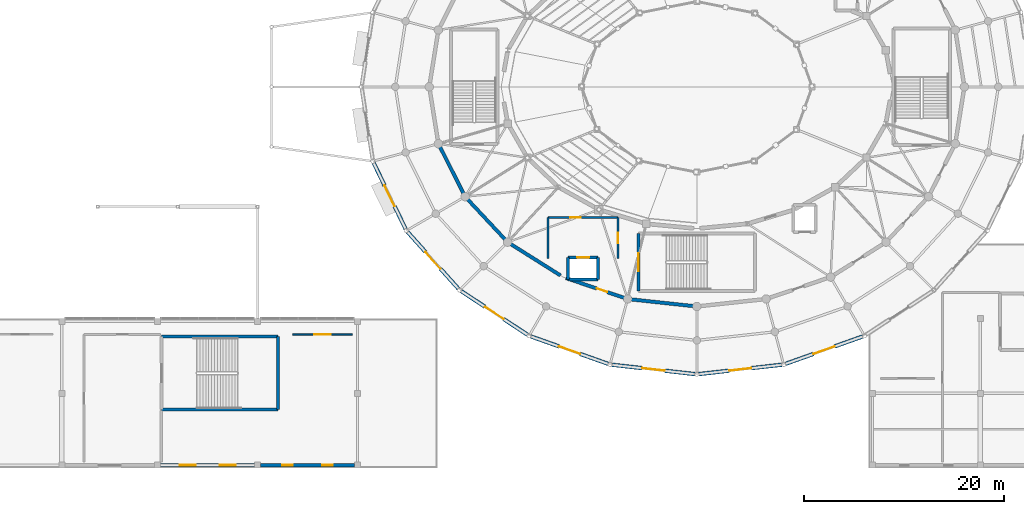
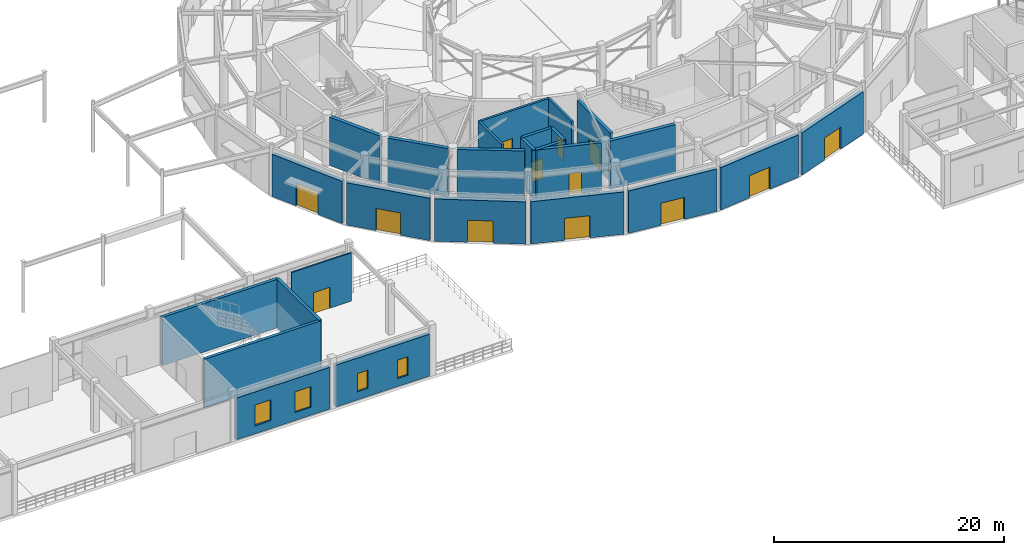
# One storey, part 53 of 93: 26 walls, 13 doors, 4 windows, 17 openings.
"""IFC4 building model written with IfcOpenShell, lengths in metres."""

import ifcopenshell
import ifcopenshell.guid

model = None  # the IFC model being written
_history = None  # IfcOwnerHistory: only IFC2X3 demands one
_inside = {}  # id of a spatial element -> (the spatial element, [elements in it])
_under = {}  # id of a project, library or spatial element -> (it, [spatial elements below it])
_declared = {}  # id of a project -> (the project, [libraries it declares])
_typed = {}  # id of a type object -> (the type object, [elements of that type])
_made_of = {}  # id of a material, layer set ... -> (it, [elements and type objects made of it])


def new_model(schema):
    """Start an empty IFC model of exactly this schema.

    Asked for "IFC4X3", IfcOpenShell would pick the latest addendum, in which some entities
    have other attributes; the version numbers below select the first issue.
    IFC2X3 requires an IfcOwnerHistory on every rooted entity: one is made here for all.
    """
    global model, _history
    if schema == "IFC4X3":
        model = ifcopenshell.file(schema_version=(4, 3, 0, 0))
    else:
        model = ifcopenshell.file(schema=schema)
    _inside.clear()
    _under.clear()
    _declared.clear()
    _typed.clear()
    _made_of.clear()
    _history = None
    if model.schema == "IFC2X3":
        org = make("IfcOrganization", Name="unknown")
        user = make(
            "IfcPersonAndOrganization",
            ThePerson=make("IfcPerson", FamilyName="unknown"),
            TheOrganization=org,
        )
        app = make(
            "IfcApplication",
            ApplicationDeveloper=org,
            Version="unknown",
            ApplicationFullName="unknown",
            ApplicationIdentifier="unknown",
        )
        _history = make(
            "IfcOwnerHistory",
            OwningUser=user,
            OwningApplication=app,
            ChangeAction="ADDED",
            CreationDate=0,
        )
    return model


def make(cls, **values):
    """One entity of the class cls with the attributes given. An attribute that is None is left unset."""
    return model.create_entity(
        cls, **{name: value for name, value in values.items() if value is not None}
    )


def rooted(cls, **values):
    """An entity with a GlobalId (a new one), such as an element, a storey or a relation."""
    return make(cls, GlobalId=ifcopenshell.guid.new(), OwnerHistory=_history, **values)


def si_unit(unit_type, name, prefix=None):
    """IfcSIUnit, for example si_unit("LENGTHUNIT", "METRE", prefix="MILLI")."""
    return make("IfcSIUnit", UnitType=unit_type, Prefix=prefix, Name=name)


def assignment(units):
    """IfcUnitAssignment: the units of a project."""
    return None if units is None else make("IfcUnitAssignment", Units=units)


def point(xyz):
    """IfcCartesianPoint."""
    return None if xyz is None else make("IfcCartesianPoint", Coordinates=xyz)


def direction(xyz):
    """IfcDirection."""
    return None if xyz is None else make("IfcDirection", DirectionRatios=xyz)


def frame(location, z_axis=None, x_axis=None):
    """IfcAxis2Placement3D, a coordinate frame: its origin and axes. An axis left out is left unset."""
    return make(
        "IfcAxis2Placement3D",
        Location=point(location),
        Axis=direction(z_axis),
        RefDirection=direction(x_axis),
    )


def frame_2d(location, x_axis=None):
    """IfcAxis2Placement2D, a coordinate frame in the plane: its origin and x axis."""
    return make(
        "IfcAxis2Placement2D", Location=point(location), RefDirection=direction(x_axis)
    )


def origin():
    """The frame at (0, 0, 0) with its axes left unset."""
    return frame((0.0, 0.0, 0.0))


def place(relative_to, where):
    """IfcLocalPlacement: puts the frame where relative to a parent placement (None: the world)."""
    return make(
        "IfcLocalPlacement", PlacementRelTo=relative_to, RelativePlacement=where
    )


def context(
    kind, dimensions, precision=None, world=None, true_north=None, identifier=None
):
    """IfcGeometricRepresentationContext, for example the 3D "Model" context."""
    return make(
        "IfcGeometricRepresentationContext",
        ContextIdentifier=identifier,
        ContextType=kind,
        CoordinateSpaceDimension=dimensions,
        Precision=precision,
        WorldCoordinateSystem=world,
        TrueNorth=true_north,
    )


def subcontext(parent, identifier, kind, view, scale=None):
    """IfcGeometricRepresentationSubContext, for example "Body" below "Model"."""
    return make(
        "IfcGeometricRepresentationSubContext",
        ContextIdentifier=identifier,
        ContextType=kind,
        ParentContext=parent,
        TargetScale=scale,
        TargetView=view,
    )


def project(units=None, contexts=None):
    """IfcProject with its units and contexts."""
    return rooted(
        "IfcProject",
        Name="project",
        RepresentationContexts=contexts,
        UnitsInContext=assignment(units),
    )


def spatial(cls, under=None, at=None, **own):
    """A site, building, storey or space (cls), placed at a placement, below another one or the project."""
    s = rooted(cls, ObjectPlacement=at, **own)
    if under is not None:
        _under.setdefault(under.id(), (under, []))[1].append(s)
    return s


def profile(cls, at=None, kind="AREA", **sizes):
    """A parametric profile (cls). Its sizes go by their IFC names, for example OverallWidth=200.0."""
    return make(cls, ProfileType=kind, Position=at, **sizes)


def rectangle(**sizes):
    """IfcRectangleProfileDef."""
    return profile("IfcRectangleProfileDef", **sizes)


def extrude(swept, where, along, depth):
    """IfcExtrudedAreaSolid: the profile swept, set in the frame where, extruded along a direction by depth."""
    return make(
        "IfcExtrudedAreaSolid",
        SweptArea=swept,
        Position=where,
        ExtrudedDirection=direction(along),
        Depth=depth,
    )


def shape(context_of_items, identifier, shape_type, items):
    """IfcShapeRepresentation: the items that make up one representation, for example the "Body"."""
    return make(
        "IfcShapeRepresentation",
        ContextOfItems=context_of_items,
        RepresentationIdentifier=identifier,
        RepresentationType=shape_type,
        Items=items,
    )


def material(Name=None, Category=None):
    """IfcMaterial."""
    return make("IfcMaterial", Name=Name, Category=Category)


def layer(
    of_material, thickness, ventilated=None, Name=None, Category=None, Priority=None
):
    """IfcMaterialLayer: one layer of a wall or slab, of a material (None: an air gap)."""
    return make(
        "IfcMaterialLayer",
        Material=of_material,
        LayerThickness=thickness,
        IsVentilated=ventilated,
        Name=Name,
        Category=Category,
        Priority=Priority,
    )


def layer_set(layers, Name=None):
    """IfcMaterialLayerSet."""
    return make("IfcMaterialLayerSet", MaterialLayers=layers, LayerSetName=Name)


def made_of(thing, what):
    """Note that an element or type object is made of a material, layer set ...; save() writes the relation."""
    if what is not None:
        _made_of.setdefault(what.id(), (what, []))[1].append(thing)
    return thing


def type_object(cls, material=None, **own):
    """A type object (cls), such as IfcWallType, which elements share."""
    return made_of(rooted(cls, **own), material)


def element(
    cls,
    number,
    at=None,
    inside=None,
    cuts=None,
    type_object=None,
    material=None,
    context=None,
    identifier="Body",
    shape_type=None,
    held_by="IfcProductDefinitionShape",
    body=None,
    shapes=None,
    **own,
):
    """One element of the class cls, such as IfcWall. Its Tag is "e" and its number.

    at: its placement. inside: the storey or other place that contains it. cuts: it is an
    opening in that element (IfcRelVoidsElement). A single representation is given by context,
    identifier, shape_type and body (its items); several are given by shapes. held_by: the class
    of the entity that holds the representations. save() writes the other relations.
    """
    e = rooted(cls, Tag="e%d" % number, ObjectPlacement=at, **own)
    if body is not None:
        shapes = [shape(context, identifier, shape_type, body)]
    if shapes is not None:
        e.Representation = make(held_by, Representations=shapes)
    if inside is not None:
        _inside.setdefault(inside.id(), (inside, []))[1].append(e)
    if cuts is not None:
        rooted(
            "IfcRelVoidsElement", RelatingBuildingElement=cuts, RelatedOpeningElement=e
        )
    if type_object is not None:
        _typed.setdefault(type_object.id(), (type_object, []))[1].append(e)
    return made_of(e, material)


def fill(opening, filler):
    """IfcRelFillsElement: the door or window that sits in an opening."""
    return rooted(
        "IfcRelFillsElement",
        RelatingOpeningElement=opening,
        RelatedBuildingElement=filler,
    )


def aggregate(whole, parts):
    """IfcRelAggregates: a whole, such as a stair, and the parts it consists of."""
    return rooted("IfcRelAggregates", RelatingObject=whole, RelatedObjects=parts)


def save(model, path):
    """Write the relations noted so far, then the file.

    IfcRelAggregates (storeys below a building ...), IfcRelContainedInSpatialStructure (elements
    in a storey), IfcRelDefinesByType, IfcRelAssociatesMaterial and IfcRelDeclares: one each for
    every whole, place, type object, material and project.
    """
    for whole, parts in _under.values():
        aggregate(whole, parts)
    for where, things in _inside.values():
        rooted(
            "IfcRelContainedInSpatialStructure",
            RelatedElements=things,
            RelatingStructure=where,
        )
    for kind, things in _typed.values():
        rooted("IfcRelDefinesByType", RelatedObjects=things, RelatingType=kind)
    for what, things in _made_of.values():
        rooted("IfcRelAssociatesMaterial", RelatedObjects=things, RelatingMaterial=what)
    for by, libraries in _declared.values():
        rooted("IfcRelDeclares", RelatingContext=by, RelatedDefinitions=libraries)
    model.write(path)


model = new_model("IFC4")

# Units and contexts
model_context = context("Model", 3, precision=1e-05, world=origin(), true_north=direction((0.0, 1.0)))
body_context = subcontext(model_context, "Body", "Model", "MODEL_VIEW")
ifc_project = project(units=[si_unit("LENGTHUNIT", "METRE"), si_unit("AREAUNIT", "SQUARE_METRE"), si_unit("VOLUMEUNIT", "CUBIC_METRE"), si_unit("PLANEANGLEUNIT", "RADIAN"), si_unit("MASSUNIT", "GRAM", prefix="KILO")], contexts=[model_context])

# Site, building, storey
site_placement = place(None, origin())
site = spatial("IfcSite", under=ifc_project, at=site_placement, CompositionType="ELEMENT")
building_placement = place(site_placement, origin())
building = spatial("IfcBuilding", under=site, at=building_placement, Name="Cinderbank Siding Concert Hall", CompositionType="ELEMENT")
storey_placement = place(building_placement, origin())
storey = spatial("IfcBuildingStorey", under=building, at=storey_placement, Name="L01", CompositionType="ELEMENT", Elevation=0.0)

# Walls
ifc_material_1 = material(Name="Reinforced concrete AS 3600 N50 (50 MPa)", Category="concrete")
ifc_layer_1 = layer(ifc_material_1, 0.35009765625)
ifc_layer_set_1 = layer_set([ifc_layer_1], Name="Reinforced concrete AS 3600 N50 (50 MPa)")
wall_type_1 = type_object("IfcWallType", Name="WL-02 Structural Wall 350mm", PredefinedType="SHEAR", material=ifc_layer_set_1)
wall_1_placement = place(storey_placement, frame((96.275390625, 37.984619140625, 0.0), z_axis=(0.0, 0.0, 1.0), x_axis=(0.450482420117, -0.892785298471, 0.0)))
element("IfcWall", 1, at=wall_1_placement, inside=storey, type_object=wall_type_1, Name="L01 Structural Wall SW-E2-L01-14", PredefinedType="SHEAR", context=body_context, shape_type="SweptSolid", body=[
    extrude(rectangle(XDim=5.223388671875, YDim=0.35009765625, at=frame_2d((2.61181640625, 0.0))), origin(), (0.0, 0.0, 1.0), 5.1201171875),
])
wall_2_placement = place(storey_placement, frame((99.036376953125, 32.737060546875, 0.0), z_axis=(0.0, 0.0, 1.0), x_axis=(0.682874636689, -0.730535577893, 0.0)))
element("IfcWall", 2, at=wall_2_placement, inside=storey, type_object=wall_type_1, Name="L01 Structural Wall SW-E2-L01-15", PredefinedType="SHEAR", context=body_context, shape_type="SweptSolid", body=[
    extrude(rectangle(XDim=5.516845703125, YDim=0.35009765625, at=frame_2d((2.75830078125, 0.0))), origin(), (0.0, 0.0, 1.0), 5.1201171875),
])
wall_3_placement = place(storey_placement, frame((103.35400390625, 28.251708984375, 0.0), z_axis=(0.0, 0.0, 1.0), x_axis=(0.846151979506, -0.532941673712, 0.0)))
element("IfcWall", 3, at=wall_3_placement, inside=storey, type_object=wall_type_1, Name="L01 Structural Wall SW-E2-L01-16", PredefinedType="SHEAR", context=body_context, shape_type="SweptSolid", body=[
    extrude(rectangle(XDim=5.89990234375, YDim=0.35009765625, at=frame_2d((2.949951171875, 0.0))), origin(), (0.0, 0.0, 1.0), 5.1201171875),
])

# Wall, opening, door
wall_4_placement = place(storey_placement, frame((108.884033203125, 24.850830078125, 0.0), z_axis=(0.0, 0.0, 1.0), x_axis=(0.946765988255, -0.321922604804, 0.0)))
wall_4 = element("IfcWall", 4, at=wall_4_placement, inside=storey, type_object=wall_type_1, Name="L01 Structural Wall SW-E2-L01-17", PredefinedType="SHEAR", context=body_context, shape_type="SweptSolid", body=[
    extrude(rectangle(XDim=6.167236328125, YDim=0.35009765625, at=frame_2d((3.08349609375, 0.0))), origin(), (0.0, 0.0, 1.0), 5.1201171875),
])
opening_1_placement = place(wall_4_placement, frame((3.2734375, 0.0, 0.0)))
opening_1 = element("IfcOpeningElement", 5, at=opening_1_placement, cuts=wall_4, Name="Opening D-19", PredefinedType="OPENING", context=body_context, shape_type="SweptSolid", body=[
    extrude(rectangle(XDim=1.1201171875, YDim=2.260009765625, at=frame_2d((0.56005859375, 1.1298828125))), frame((0.0, 0.18701171875, 0.0), z_axis=(0.0, -1.0, 0.0), x_axis=(1.0, 0.0, 0.0)), (0.0, 0.0, 1.0), 0.3740234375),
])
ifc_material_2 = material(Name="Solid-core spotted gum acoustic timber", Category="wood")
door_type_1 = type_object("IfcDoorType", Name="D-19 Interior Door 1120x2260", OperationType="NOTDEFINED", PredefinedType="DOOR", material=ifc_material_2)
door_1_placement = place(opening_1_placement, origin())
door_1 = element("IfcDoor", 6, at=door_1_placement, inside=storey, type_object=door_type_1, Name="L01 Auditorium Sound-Lock Door L01-D126", OperationType="SINGLE_SWING_LEFT", OverallHeight=2.260009765625, OverallWidth=1.1201171875, PredefinedType="DOOR", context=body_context, shape_type="SweptSolid", body=[
    extrude(rectangle(XDim=1.1201171875, YDim=2.260009765625, at=frame_2d((0.56005859375, 1.1298828125))), frame((0.0, 0.02490234375, 0.0), z_axis=(0.0, -1.0, 0.0), x_axis=(1.0, 0.0, 0.0)), (0.0, 0.0, 1.0), 0.050048828125),
])
fill(opening_1, door_1)

# Wall
wall_5_placement = place(storey_placement, frame((115.42138671875, 22.7109375, 0.0), z_axis=(0.0, 0.0, 1.0), x_axis=(0.994213694453, -0.107420341477, 0.0)))
element("IfcWall", 7, at=wall_5_placement, inside=storey, type_object=wall_type_1, Name="L01 Structural Wall SW-E2-L01-18", PredefinedType="SHEAR", context=body_context, shape_type="SweptSolid", body=[
    extrude(rectangle(XDim=6.2568359375, YDim=0.35009765625, at=frame_2d((3.12841796875, 0.0))), origin(), (0.0, 0.0, 1.0), 5.1201171875),
])

# Wall, opening, door
ifc_layer_2 = layer(ifc_material_1, 0.300048828125)
ifc_layer_set_2 = layer_set([ifc_layer_2], Name="Reinforced concrete AS 3600 N50 (50 MPa)")
wall_type_2 = type_object("IfcWallType", Name="WL-03 Structural Wall 300mm", PredefinedType="SHEAR", material=ifc_layer_set_2)
wall_6_placement = place(storey_placement, frame((116.159912109375, 23.56005859375, 0.0), z_axis=(0.0, 0.0, 1.0), x_axis=(0.0, 1.0, 0.0)))
wall_6 = element("IfcWall", 8, at=wall_6_placement, inside=storey, type_object=wall_type_2, Name="L01 ST-02 Core Wall ENTRY", PredefinedType="SHEAR", context=body_context, shape_type="SweptSolid", body=[
    extrude(rectangle(XDim=5.739990234375, YDim=0.300048828125, at=frame_2d((2.8701171875, 0.0))), origin(), (0.0, 0.0, 1.0), 5.139892578125),
])
opening_2_placement = place(wall_6_placement, frame((1.969970703125, 0.0, 0.0)))
opening_2 = element("IfcOpeningElement", 9, at=opening_2_placement, cuts=wall_6, Name="Opening D-05", PredefinedType="OPENING", context=body_context, shape_type="SweptSolid", body=[
    extrude(rectangle(XDim=1.800048828125, YDim=2.199951171875, at=frame_2d((0.89990234375, 1.10009765625))), frame((0.0, 0.162109375, 0.0), z_axis=(0.0, -1.0, 0.0), x_axis=(1.0, 0.0, 0.0)), (0.0, 0.0, 1.0), 0.323974609375),
])
ifc_material_3 = material(Name="Galvanised sheet steel acoustic fire door assembly", Category="steel")
door_type_2 = type_object("IfcDoorType", Name="D-05 Interior Door 1800x2200", OperationType="DOUBLE_DOOR_SINGLE_SWING", PredefinedType="DOOR", material=ifc_material_3)
door_2_placement = place(opening_2_placement, origin())
door_2 = element("IfcDoor", 10, at=door_2_placement, inside=storey, type_object=door_type_2, Name="L01 ST-02 Fire Stair Door L01-D009", OperationType="DOUBLE_DOOR_SINGLE_SWING", OverallHeight=2.199951171875, OverallWidth=1.800048828125, PredefinedType="DOOR", context=body_context, shape_type="SweptSolid", body=[
    extrude(rectangle(XDim=1.800048828125, YDim=2.199951171875, at=frame_2d((0.89990234375, 1.10009765625))), frame((0.0, 0.02490234375, 0.0), z_axis=(0.0, -1.0, 0.0), x_axis=(1.0, 0.0, 0.0)), (0.0, 0.0, 1.0), 0.050048828125),
])
fill(opening_2, door_2)

# Walls
wall_7_placement = place(storey_placement, frame((80.0400390625, 19.0, 0.0), z_axis=(0.0, 0.0, 1.0), x_axis=(0.0, -1.0, 0.0)))
element("IfcWall", 11, at=wall_7_placement, inside=storey, type_object=wall_type_2, Name="L01 ST-08 Core Wall FAR", PredefinedType="SHEAR", context=body_context, shape_type="SweptSolid", body=[
    extrude(rectangle(XDim=7.340087890625, YDim=0.300048828125, at=frame_2d((3.669921875, 0.0))), origin(), (0.0, 0.0, 1.0), 5.139892578125),
])
for number, where, z_axis, x_axis, name in (
    (12, (80.0400390625, 11.659912109375, 0.0), (0.0, 0.0, 1.0), (-1.0, 0.0, 0.0), "L01 ST-08 Core Wall SIDE1"),
    (13, (68.360107421875, 19.0, 0.0), (0.0, 0.0, 1.0), (1.0, 0.0, 0.0), "L01 ST-08 Core Wall SIDE2"),
):
    element("IfcWall", number, at=place(storey_placement, frame(where, z_axis=z_axis, x_axis=x_axis)), inside=storey, type_object=wall_type_2, Name=name, PredefinedType="SHEAR", context=body_context, shape_type="SweptSolid", body=[
        extrude(rectangle(XDim=11.679931640625, YDim=0.300048828125, at=frame_2d((5.83984375, 0.0))), origin(), (0.0, 0.0, 1.0), 5.139892578125),
    ])
wall_8_placement = place(storey_placement, frame((112.10009765625, 24.699951171875, 0.0), z_axis=(0.0, 0.0, 1.0), x_axis=(-1.0, 0.0, 0.0)))
element("IfcWall", 14, at=wall_8_placement, inside=storey, type_object=wall_type_2, Name="L01 LF-05 Shaft Wall -Y", PredefinedType="SHEAR", context=body_context, shape_type="SweptSolid", body=[
    extrude(rectangle(XDim=3.0, YDim=0.300048828125, at=frame_2d((1.5, 0.0))), origin(), (0.0, 0.0, 1.0), 5.1201171875),
])
wall_9_placement = place(storey_placement, frame((112.10009765625, 26.89990234375, 0.0), z_axis=(0.0, 0.0, 1.0), x_axis=(0.0, -1.0, 0.0)))
element("IfcWall", 15, at=wall_9_placement, inside=storey, type_object=wall_type_2, Name="L01 LF-05 Shaft Wall +X", PredefinedType="SHEAR", context=body_context, shape_type="SweptSolid", body=[
    extrude(rectangle(XDim=2.199951171875, YDim=0.300048828125, at=frame_2d((1.10009765625, 0.0))), origin(), (0.0, 0.0, 1.0), 5.139892578125),
])

# Wall, opening, door
wall_10_placement = place(storey_placement, frame((109.10009765625, 26.89990234375, 0.0), z_axis=(0.0, 0.0, 1.0), x_axis=(1.0, 0.0, 0.0)))
wall_10 = element("IfcWall", 16, at=wall_10_placement, inside=storey, type_object=wall_type_2, Name="L01 LF-05 Shaft Wall +Y", PredefinedType="SHEAR", context=body_context, shape_type="SweptSolid", body=[
    extrude(rectangle(XDim=3.0, YDim=0.300048828125, at=frame_2d((1.5, 0.0))), origin(), (0.0, 0.0, 1.0), 5.139892578125),
])
opening_3_placement = place(wall_10_placement, frame((0.89990234375, 0.0, 0.0)))
opening_3 = element("IfcOpeningElement", 17, at=opening_3_placement, cuts=wall_10, Name="Opening LD-02", PredefinedType="OPENING", context=body_context, shape_type="SweptSolid", body=[
    extrude(rectangle(XDim=1.199951171875, YDim=2.14990234375, at=frame_2d((0.60009765625, 1.074951171875))), frame((0.0, 0.162109375, 0.0), z_axis=(0.0, -1.0, 0.0), x_axis=(1.0, 0.0, 0.0)), (0.0, 0.0, 1.0), 0.323974609375),
])
door_type_3 = type_object("IfcDoorType", Name="LD-02 Interior Door 1200x2150", OperationType="DOUBLE_DOOR_SLIDING", PredefinedType="DOOR", material=ifc_material_3)
door_3_placement = place(opening_3_placement, origin())
door_3 = element("IfcDoor", 18, at=door_3_placement, inside=storey, type_object=door_type_3, Name="L01 LF-05 Sliding Landing Door", OperationType="DOUBLE_DOOR_SLIDING", OverallHeight=2.14990234375, OverallWidth=1.199951171875, PredefinedType="DOOR", context=body_context, shape_type="SweptSolid", body=[
    extrude(rectangle(XDim=1.199951171875, YDim=2.14990234375, at=frame_2d((0.60009765625, 1.074951171875))), frame((0.0, 0.02490234375, 0.0), z_axis=(0.0, -1.0, 0.0), x_axis=(1.0, 0.0, 0.0)), (0.0, 0.0, 1.0), 0.050048828125),
])
fill(opening_3, door_3)

# Wall
wall_11_placement = place(storey_placement, frame((109.10009765625, 24.699951171875, 0.0), z_axis=(0.0, 0.0, 1.0), x_axis=(0.0, 1.0, 0.0)))
element("IfcWall", 19, at=wall_11_placement, inside=storey, type_object=wall_type_2, Name="L01 LF-05 Shaft Wall -X", PredefinedType="SHEAR", context=body_context, shape_type="SweptSolid", body=[
    extrude(rectangle(XDim=2.199951171875, YDim=0.300048828125, at=frame_2d((1.10009765625, 0.0))), origin(), (0.0, 0.0, 1.0), 5.1201171875),
])

# Wall, opening, door
ifc_layer_3 = layer(ifc_material_1, 0.219970703125)
ifc_layer_set_3 = layer_set([ifc_layer_3], Name="Reinforced concrete AS 3600 N50 (50 MPa)")
wall_type_3 = type_object("IfcWallType", Name="WL-06 Interior Wall 220mm", PredefinedType="SOLIDWALL", material=ifc_layer_set_3)
wall_12_placement = place(storey_placement, frame((107.10009765625, 30.89990234375, 0.0), z_axis=(0.0, 0.0, 1.0), x_axis=(1.0, 0.0, 0.0)))
wall_12 = element("IfcWall", 20, at=wall_12_placement, inside=storey, type_object=wall_type_3, Name="L01 Firefighting Lobby Wall FFLS-N", PredefinedType="SOLIDWALL", context=body_context, shape_type="SweptSolid", body=[
    extrude(rectangle(XDim=7.0, YDim=0.219970703125, at=frame_2d((3.5, 0.0))), origin(), (0.0, 0.0, 1.0), 5.125),
])
opening_4_placement = place(wall_12_placement, frame((2.22509765625, 0.0, 0.0)))
opening_4 = element("IfcOpeningElement", 21, at=opening_4_placement, cuts=wall_12, Name="Opening D-02", PredefinedType="OPENING", context=body_context, shape_type="SweptSolid", body=[
    extrude(rectangle(XDim=1.050048828125, YDim=2.14990234375, at=frame_2d((0.52490234375, 1.074951171875))), frame((0.0, 0.1220703125, 0.0), z_axis=(0.0, -1.0, 0.0), x_axis=(1.0, 0.0, 0.0)), (0.0, 0.0, 1.0), 0.243896484375),
])
door_type_4 = type_object("IfcDoorType", Name="D-02 Interior Door 1050x2150", OperationType="NOTDEFINED", PredefinedType="DOOR", material=ifc_material_3)
door_4_placement = place(opening_4_placement, origin())
door_4 = element("IfcDoor", 22, at=door_4_placement, inside=storey, type_object=door_type_4, Name="L01 Firefighting Lobby Door L01-D068", OperationType="SINGLE_SWING_LEFT", OverallHeight=2.14990234375, OverallWidth=1.050048828125, PredefinedType="DOOR", context=body_context, shape_type="SweptSolid", body=[
    extrude(rectangle(XDim=1.050048828125, YDim=2.14990234375, at=frame_2d((0.52490234375, 1.074951171875))), frame((0.0, 0.02490234375, 0.0), z_axis=(0.0, -1.0, 0.0), x_axis=(1.0, 0.0, 0.0)), (0.0, 0.0, 1.0), 0.050048828125),
])
fill(opening_4, door_4)

# Wall
wall_13_placement = place(storey_placement, frame((107.10009765625, 26.800048828125, 0.0), z_axis=(0.0, 0.0, 1.0), x_axis=(0.0, 1.0, 0.0)))
element("IfcWall", 23, at=wall_13_placement, inside=storey, type_object=wall_type_3, Name="L01 Firefighting Lobby Wall FFLS-W", PredefinedType="SOLIDWALL", context=body_context, shape_type="SweptSolid", body=[
    extrude(rectangle(XDim=4.099853515625, YDim=0.219970703125, at=frame_2d((2.0498046875, 0.0))), origin(), (0.0, 0.0, 1.0), 5.125),
])

# Wall, opening, door
wall_14_placement = place(storey_placement, frame((114.10009765625, 30.89990234375, 0.0), z_axis=(0.0, 0.0, 1.0), x_axis=(0.0, -1.0, 0.0)))
wall_14 = element("IfcWall", 24, at=wall_14_placement, inside=storey, type_object=wall_type_3, Name="L01 Firefighting Lobby Wall FFLS-E", PredefinedType="SOLIDWALL", context=body_context, shape_type="SweptSolid", body=[
    extrude(rectangle(XDim=4.099853515625, YDim=0.219970703125, at=frame_2d((2.0498046875, 0.0))), origin(), (0.0, 0.0, 1.0), 5.125),
])
opening_5_placement = place(wall_14_placement, frame((1.52490234375, 0.0, 0.0)))
opening_5 = element("IfcOpeningElement", 25, at=opening_5_placement, cuts=wall_14, Name="Opening D-02", PredefinedType="OPENING", context=body_context, shape_type="SweptSolid", body=[
    extrude(rectangle(XDim=1.050048828125, YDim=2.14990234375, at=frame_2d((0.52490234375, 1.074951171875))), frame((0.0, 0.1220703125, 0.0), z_axis=(0.0, -1.0, 0.0), x_axis=(1.0, 0.0, 0.0)), (0.0, 0.0, 1.0), 0.243896484375),
])
door_5_placement = place(opening_5_placement, origin())
door_5 = element("IfcDoor", 26, at=door_5_placement, inside=storey, type_object=door_type_4, Name="L01 Firefighting Lobby Door L01-D069", OperationType="SINGLE_SWING_RIGHT", OverallHeight=2.14990234375, OverallWidth=1.050048828125, PredefinedType="DOOR", context=body_context, shape_type="SweptSolid", body=[
    extrude(rectangle(XDim=1.050048828125, YDim=2.14990234375, at=frame_2d((0.52490234375, 1.074951171875))), frame((0.0, 0.02490234375, 0.0), z_axis=(0.0, -1.0, 0.0), x_axis=(1.0, 0.0, 0.0)), (0.0, 0.0, 1.0), 0.050048828125),
])
fill(opening_5, door_5)

ifc_material_4 = material(Name="Sydney Hawkesbury sandstone ashlar masonry", Category="masonry")
ifc_layer_4 = layer(ifc_material_4, 0.389892578125)
ifc_layer_set_4 = layer_set([ifc_layer_4], Name="Sydney Hawkesbury sandstone ashlar masonry")
wall_type_4 = type_object("IfcWallType", Name="WL-09 Exterior Wall 390mm", PredefinedType="STANDARD", material=ifc_layer_set_4)
wall_15_placement = place(storey_placement, frame((92.819580078125, 29.76953125, 0.0), z_axis=(0.0, 0.0, 1.0), x_axis=(-0.435115618282, 0.900374588006, 0.0)))
wall_15 = element("IfcWall", 27, at=wall_15_placement, inside=storey, type_object=wall_type_4, Name="L01 Facade Wall EW-E4-L01-14", PredefinedType="STANDARD", context=body_context, shape_type="SweptSolid", body=[
    extrude(rectangle(XDim=7.337890625, YDim=0.389892578125, at=frame_2d((3.6689453125, 0.0))), origin(), (0.0, 0.0, 1.0), 4.487060546875),
])
opening_6_placement = place(wall_15_placement, frame((2.509033203125, 0.0, 0.0)))
opening_6 = element("IfcOpeningElement", 28, at=opening_6_placement, cuts=wall_15, Name="Opening ED-D2", PredefinedType="OPENING", context=body_context, shape_type="SweptSolid", body=[
    extrude(rectangle(XDim=2.320068359375, YDim=2.39990234375, at=frame_2d((1.16015625, 1.199951171875))), frame((0.0, 0.20703125, 0.0), z_axis=(0.0, -1.0, 0.0), x_axis=(1.0, 0.0, 0.0)), (0.0, 0.0, 1.0), 0.413818359375),
])
door_type_5 = type_object("IfcDoorType", Name="ED-D2 Exterior Door 2320x2400", OperationType="DOUBLE_DOOR_SINGLE_SWING", PredefinedType="DOOR", material=ifc_material_3)
door_6_placement = place(opening_6_placement, origin())
door_6 = element("IfcDoor", 29, at=door_6_placement, inside=storey, type_object=door_type_5, Name="Grand Foyer Exit Door S14", OperationType="DOUBLE_DOOR_SINGLE_SWING", OverallHeight=2.39990234375, OverallWidth=2.320068359375, PredefinedType="DOOR", context=body_context, shape_type="SweptSolid", body=[
    extrude(rectangle(XDim=2.320068359375, YDim=2.39990234375, at=frame_2d((1.16015625, 1.199951171875))), frame((0.0, 0.02490234375, 0.0), z_axis=(0.0, -1.0, 0.0), x_axis=(1.0, 0.0, 0.0)), (0.0, 0.0, 1.0), 0.050048828125),
])
fill(opening_6, door_6)

wall_16_placement = place(storey_placement, frame((98.11572265625, 23.775390625, 0.0), z_axis=(0.0, 0.0, 1.0), x_axis=(-0.666987529742, 0.745068879479, 0.0)))
wall_16 = element("IfcWall", 30, at=wall_16_placement, inside=storey, type_object=wall_type_4, Name="L01 Facade Wall EW-E4-L01-15", PredefinedType="STANDARD", context=body_context, shape_type="SweptSolid", body=[
    extrude(rectangle(XDim=7.629150390625, YDim=0.389892578125, at=frame_2d((3.814453125, 0.0))), origin(), (0.0, 0.0, 1.0), 4.487060546875),
])
opening_7_placement = place(wall_16_placement, frame((2.694580078125, 0.0, 0.0)))
opening_7 = element("IfcOpeningElement", 31, at=opening_7_placement, cuts=wall_16, Name="Opening ED-D1", PredefinedType="OPENING", context=body_context, shape_type="SweptSolid", body=[
    extrude(rectangle(XDim=2.239990234375, YDim=2.35009765625, at=frame_2d((1.1201171875, 1.175048828125))), frame((0.0, 0.20703125, 0.0), z_axis=(0.0, -1.0, 0.0), x_axis=(1.0, 0.0, 0.0)), (0.0, 0.0, 1.0), 0.413818359375),
])
door_type_6 = type_object("IfcDoorType", Name="ED-D1 Exterior Door 2240x2350", OperationType="DOUBLE_DOOR_SINGLE_SWING", PredefinedType="DOOR", material=ifc_material_3)
door_7_placement = place(opening_7_placement, origin())
door_7 = element("IfcDoor", 32, at=door_7_placement, inside=storey, type_object=door_type_6, Name="Grand Foyer Exit Door S15", OperationType="DOUBLE_DOOR_SINGLE_SWING", OverallHeight=2.35009765625, OverallWidth=2.239990234375, PredefinedType="DOOR", context=body_context, shape_type="SweptSolid", body=[
    extrude(rectangle(XDim=2.239990234375, YDim=2.35009765625, at=frame_2d((1.1201171875, 1.175048828125))), frame((0.0, 0.02490234375, 0.0), z_axis=(0.0, -1.0, 0.0), x_axis=(1.0, 0.0, 0.0)), (0.0, 0.0, 1.0), 0.050048828125),
])
fill(opening_7, door_7)

wall_17_placement = place(storey_placement, frame((105.042724609375, 19.161865234375, 0.0), z_axis=(0.0, 0.0, 1.0), x_axis=(-0.835481991605, 0.549517826556, 0.0)))
wall_17 = element("IfcWall", 33, at=wall_17_placement, inside=storey, type_object=wall_type_4, Name="L01 Facade Wall EW-E4-L01-16", PredefinedType="STANDARD", context=body_context, shape_type="SweptSolid", body=[
    extrude(rectangle(XDim=7.95263671875, YDim=0.389892578125, at=frame_2d((3.976318359375, 0.0))), origin(), (0.0, 0.0, 1.0), 4.487060546875),
])
opening_8_placement = place(wall_17_placement, frame((2.856201171875, 0.0, 0.0)))
opening_8 = element("IfcOpeningElement", 34, at=opening_8_placement, cuts=wall_17, Name="Opening ED-D1", PredefinedType="OPENING", context=body_context, shape_type="SweptSolid", body=[
    extrude(rectangle(XDim=2.239990234375, YDim=2.35009765625, at=frame_2d((1.1201171875, 1.175048828125))), frame((0.0, 0.20703125, 0.0), z_axis=(0.0, -1.0, 0.0), x_axis=(1.0, 0.0, 0.0)), (0.0, 0.0, 1.0), 0.413818359375),
])
door_8_placement = place(opening_8_placement, origin())
door_8 = element("IfcDoor", 35, at=door_8_placement, inside=storey, type_object=door_type_6, Name="Grand Foyer Exit Door S16", OperationType="DOUBLE_DOOR_SINGLE_SWING", OverallHeight=2.35009765625, OverallWidth=2.239990234375, PredefinedType="DOOR", context=body_context, shape_type="SweptSolid", body=[
    extrude(rectangle(XDim=2.239990234375, YDim=2.35009765625, at=frame_2d((1.1201171875, 1.175048828125))), frame((0.0, 0.02490234375, 0.0), z_axis=(0.0, -1.0, 0.0), x_axis=(1.0, 0.0, 0.0)), (0.0, 0.0, 1.0), 0.050048828125),
])
fill(opening_8, door_8)

wall_18_placement = place(storey_placement, frame((113.126220703125, 16.244384765625, 0.0), z_axis=(0.0, 0.0, 1.0), x_axis=(-0.942364340072, 0.334588479419, 0.0)))
wall_18 = element("IfcWall", 36, at=wall_18_placement, inside=storey, type_object=wall_type_4, Name="L01 Facade Wall EW-E4-L01-17", PredefinedType="STANDARD", context=body_context, shape_type="SweptSolid", body=[
    extrude(rectangle(XDim=8.22265625, YDim=0.389892578125, at=frame_2d((4.111328125, 0.0))), origin(), (0.0, 0.0, 1.0), 4.487060546875),
])
opening_9_placement = place(wall_18_placement, frame((2.991455078125, 0.0, 0.0)))
opening_9 = element("IfcOpeningElement", 37, at=opening_9_placement, cuts=wall_18, Name="Opening ED-D1", PredefinedType="OPENING", context=body_context, shape_type="SweptSolid", body=[
    extrude(rectangle(XDim=2.239990234375, YDim=2.35009765625, at=frame_2d((1.1201171875, 1.175048828125))), frame((0.0, 0.20703125, 0.0), z_axis=(0.0, -1.0, 0.0), x_axis=(1.0, 0.0, 0.0)), (0.0, 0.0, 1.0), 0.413818359375),
])
door_9_placement = place(opening_9_placement, origin())
door_9 = element("IfcDoor", 38, at=door_9_placement, inside=storey, type_object=door_type_6, Name="Grand Foyer Exit Door S17", OperationType="DOUBLE_DOOR_SINGLE_SWING", OverallHeight=2.35009765625, OverallWidth=2.239990234375, PredefinedType="DOOR", context=body_context, shape_type="SweptSolid", body=[
    extrude(rectangle(XDim=2.239990234375, YDim=2.35009765625, at=frame_2d((1.1201171875, 1.175048828125))), frame((0.0, 0.02490234375, 0.0), z_axis=(0.0, -1.0, 0.0), x_axis=(1.0, 0.0, 0.0)), (0.0, 0.0, 1.0), 0.050048828125),
])
fill(opening_9, door_9)

wall_19_placement = place(storey_placement, frame((121.81298828125, 15.22119140625, 0.0), z_axis=(0.0, 0.0, 1.0), x_axis=(-0.993695317578, 0.112114298035, 0.0)))
wall_19 = element("IfcWall", 39, at=wall_19_placement, inside=storey, type_object=wall_type_4, Name="L01 Facade Wall EW-E4-L01-18", PredefinedType="STANDARD", context=body_context, shape_type="SweptSolid", body=[
    extrude(rectangle(XDim=8.375, YDim=0.389892578125, at=frame_2d((4.1875, 0.0))), origin(), (0.0, 0.0, 1.0), 4.487060546875),
])
opening_10_placement = place(wall_19_placement, frame((3.0673828125, 0.0, 0.0)))
opening_10 = element("IfcOpeningElement", 40, at=opening_10_placement, cuts=wall_19, Name="Opening ED-D1", PredefinedType="OPENING", context=body_context, shape_type="SweptSolid", body=[
    extrude(rectangle(XDim=2.239990234375, YDim=2.35009765625, at=frame_2d((1.1201171875, 1.175048828125))), frame((0.0, 0.20703125, 0.0), z_axis=(0.0, -1.0, 0.0), x_axis=(1.0, 0.0, 0.0)), (0.0, 0.0, 1.0), 0.413818359375),
])
door_10_placement = place(opening_10_placement, origin())
door_10 = element("IfcDoor", 41, at=door_10_placement, inside=storey, type_object=door_type_6, Name="Grand Foyer Exit Door S18", OperationType="DOUBLE_DOOR_SINGLE_SWING", OverallHeight=2.35009765625, OverallWidth=2.239990234375, PredefinedType="DOOR", context=body_context, shape_type="SweptSolid", body=[
    extrude(rectangle(XDim=2.239990234375, YDim=2.35009765625, at=frame_2d((1.1201171875, 1.175048828125))), frame((0.0, 0.02490234375, 0.0), z_axis=(0.0, -1.0, 0.0), x_axis=(1.0, 0.0, 0.0)), (0.0, 0.0, 1.0), 0.050048828125),
])
fill(opening_10, door_10)

wall_20_placement = place(storey_placement, frame((130.50927734375, 16.16015625, 0.0), z_axis=(0.0, 0.0, 1.0), x_axis=(-0.993695317578, -0.112114298035, 0.0)))
wall_20 = element("IfcWall", 42, at=wall_20_placement, inside=storey, type_object=wall_type_4, Name="L01 Facade Wall EW-E4-L01-19", PredefinedType="STANDARD", context=body_context, shape_type="SweptSolid", body=[
    extrude(rectangle(XDim=8.375, YDim=0.389892578125, at=frame_2d((4.1875, 0.0))), origin(), (0.0, 0.0, 1.0), 4.487060546875),
])
opening_11_placement = place(wall_20_placement, frame((3.0673828125, 0.0, 0.0)))
opening_11 = element("IfcOpeningElement", 43, at=opening_11_placement, cuts=wall_20, Name="Opening ED-D1", PredefinedType="OPENING", context=body_context, shape_type="SweptSolid", body=[
    extrude(rectangle(XDim=2.239990234375, YDim=2.35009765625, at=frame_2d((1.1201171875, 1.175048828125))), frame((0.0, 0.20703125, 0.0), z_axis=(0.0, -1.0, 0.0), x_axis=(1.0, 0.0, 0.0)), (0.0, 0.0, 1.0), 0.413818359375),
])
door_11_placement = place(opening_11_placement, origin())
door_11 = element("IfcDoor", 44, at=door_11_placement, inside=storey, type_object=door_type_6, Name="Grand Foyer Exit Door S19", OperationType="DOUBLE_DOOR_SINGLE_SWING", OverallHeight=2.35009765625, OverallWidth=2.239990234375, PredefinedType="DOOR", context=body_context, shape_type="SweptSolid", body=[
    extrude(rectangle(XDim=2.239990234375, YDim=2.35009765625, at=frame_2d((1.1201171875, 1.175048828125))), frame((0.0, 0.02490234375, 0.0), z_axis=(0.0, -1.0, 0.0), x_axis=(1.0, 0.0, 0.0)), (0.0, 0.0, 1.0), 0.050048828125),
])
fill(opening_11, door_11)

wall_21_placement = place(storey_placement, frame((138.62255859375, 18.99560546875, 0.0), z_axis=(0.0, 0.0, 1.0), x_axis=(-0.942364340072, -0.334588479419, 0.0)))
wall_21 = element("IfcWall", 45, at=wall_21_placement, inside=storey, type_object=wall_type_4, Name="L01 Facade Wall EW-E4-L01-20", PredefinedType="STANDARD", context=body_context, shape_type="SweptSolid", body=[
    extrude(rectangle(XDim=8.22265625, YDim=0.389892578125, at=frame_2d((4.111328125, 0.0))), origin(), (0.0, 0.0, 1.0), 4.487060546875),
])
opening_12_placement = place(wall_21_placement, frame((2.991455078125, 0.0, 0.0)))
opening_12 = element("IfcOpeningElement", 46, at=opening_12_placement, cuts=wall_21, Name="Opening ED-D1", PredefinedType="OPENING", context=body_context, shape_type="SweptSolid", body=[
    extrude(rectangle(XDim=2.239990234375, YDim=2.35009765625, at=frame_2d((1.1201171875, 1.175048828125))), frame((0.0, 0.20703125, 0.0), z_axis=(0.0, -1.0, 0.0), x_axis=(1.0, 0.0, 0.0)), (0.0, 0.0, 1.0), 0.413818359375),
])
door_12_placement = place(opening_12_placement, origin())
door_12 = element("IfcDoor", 47, at=door_12_placement, inside=storey, type_object=door_type_6, Name="Grand Foyer Exit Door S20", OperationType="DOUBLE_DOOR_SINGLE_SWING", OverallHeight=2.35009765625, OverallWidth=2.239990234375, PredefinedType="DOOR", context=body_context, shape_type="SweptSolid", body=[
    extrude(rectangle(XDim=2.239990234375, YDim=2.35009765625, at=frame_2d((1.1201171875, 1.175048828125))), frame((0.0, 0.02490234375, 0.0), z_axis=(0.0, -1.0, 0.0), x_axis=(1.0, 0.0, 0.0)), (0.0, 0.0, 1.0), 0.050048828125),
])
fill(opening_12, door_12)

# Wall, openings, windows
wall_22_placement = place(storey_placement, frame((77.715087890625, 6.10009765625, 0.0), z_axis=(0.0, 0.0, 1.0), x_axis=(-1.0, 0.0, 0.0)))
wall_22 = element("IfcWall", 48, at=wall_22_placement, inside=storey, type_object=wall_type_4, Name="L01 Facade Wall EW-SL-S2-L01", PredefinedType="STANDARD", context=body_context, shape_type="SweptSolid", body=[
    extrude(rectangle(XDim=9.43017578125, YDim=0.389892578125, at=frame_2d((4.715087890625, 0.0))), origin(), (0.0, 0.0, 1.0), 4.427001953125),
])
opening_13_placement = place(wall_22_placement, frame((1.907470703125, 0.0, 0.85009765625)))
opening_13 = element("IfcOpeningElement", 49, at=opening_13_placement, cuts=wall_22, Name="Opening WN-07", PredefinedType="OPENING", context=body_context, shape_type="SweptSolid", body=[
    extrude(rectangle(XDim=1.60009765625, YDim=2.199951171875, at=frame_2d((0.800048828125, 1.10009765625))), frame((0.0, 0.20703125, 0.0), z_axis=(0.0, -1.0, 0.0), x_axis=(1.0, 0.0, 0.0)), (0.0, 0.0, 1.0), 0.413818359375),
])
opening_14_placement = place(wall_22_placement, frame((5.922607421875, 0.0, 0.85009765625)))
opening_14 = element("IfcOpeningElement", 50, at=opening_14_placement, cuts=wall_22, Name="Opening WN-07", PredefinedType="OPENING", context=body_context, shape_type="SweptSolid", body=[
    extrude(rectangle(XDim=1.60009765625, YDim=2.199951171875, at=frame_2d((0.800048828125, 1.10009765625))), frame((0.0, 0.20703125, 0.0), z_axis=(0.0, -1.0, 0.0), x_axis=(1.0, 0.0, 0.0)), (0.0, 0.0, 1.0), 0.413818359375),
])
ifc_material_5 = material(Name="Double-glazed laminated acoustic glass", Category="glass")
window_type_1 = type_object("IfcWindowType", Name="WN-07 Acoustic Casement Window 1600x2200", PartitioningType="DOUBLE_PANEL_VERTICAL", PredefinedType="WINDOW", material=ifc_material_5)
window_1_placement = place(opening_13_placement, origin())
window_1 = element("IfcWindow", 51, at=window_1_placement, inside=storey, type_object=window_type_1, Name="L01 Facade Window #205", OverallHeight=2.199951171875, OverallWidth=1.60009765625, PartitioningType="DOUBLE_PANEL_VERTICAL", PredefinedType="WINDOW", context=body_context, shape_type="SweptSolid", body=[
    extrude(rectangle(XDim=1.60009765625, YDim=2.199951171875, at=frame_2d((0.800048828125, 1.10009765625))), frame((0.0, 0.030029296875, 0.0), z_axis=(0.0, -1.0, 0.0), x_axis=(1.0, 0.0, 0.0)), (0.0, 0.0, 1.0), 0.06005859375),
])
fill(opening_13, window_1)
window_2_placement = place(opening_14_placement, origin())
window_2 = element("IfcWindow", 52, at=window_2_placement, inside=storey, type_object=window_type_1, Name="L01 Facade Window #206", OverallHeight=2.199951171875, OverallWidth=1.60009765625, PartitioningType="DOUBLE_PANEL_VERTICAL", PredefinedType="WINDOW", context=body_context, shape_type="SweptSolid", body=[
    extrude(rectangle(XDim=1.60009765625, YDim=2.199951171875, at=frame_2d((0.800048828125, 1.10009765625))), frame((0.0, 0.030029296875, 0.0), z_axis=(0.0, -1.0, 0.0), x_axis=(1.0, 0.0, 0.0)), (0.0, 0.0, 1.0), 0.06005859375),
])
fill(opening_14, window_2)

wall_23_placement = place(storey_placement, frame((87.715087890625, 6.10009765625, 0.0), z_axis=(0.0, 0.0, 1.0), x_axis=(-1.0, 0.0, 0.0)))
wall_23 = element("IfcWall", 53, at=wall_23_placement, inside=storey, type_object=wall_type_4, Name="L01 Facade Wall EW-SL-S3-L01", PredefinedType="STANDARD", context=body_context, shape_type="SweptSolid", body=[
    extrude(rectangle(XDim=9.43017578125, YDim=0.389892578125, at=frame_2d((4.715087890625, 0.0))), origin(), (0.0, 0.0, 1.0), 4.427001953125),
])
opening_15_placement = place(wall_23_placement, frame((2.1826171875, 0.0, 0.85009765625)))
opening_15 = element("IfcOpeningElement", 54, at=opening_15_placement, cuts=wall_23, Name="Opening WN-11", PredefinedType="OPENING", context=body_context, shape_type="SweptSolid", body=[
    extrude(rectangle(XDim=1.050048828125, YDim=1.949951171875, at=frame_2d((0.52490234375, 0.97509765625))), frame((0.0, 0.20703125, 0.0), z_axis=(0.0, -1.0, 0.0), x_axis=(1.0, 0.0, 0.0)), (0.0, 0.0, 1.0), 0.413818359375),
])
opening_16_placement = place(wall_23_placement, frame((6.197509765625, 0.0, 0.85009765625)))
opening_16 = element("IfcOpeningElement", 55, at=opening_16_placement, cuts=wall_23, Name="Opening WN-11", PredefinedType="OPENING", context=body_context, shape_type="SweptSolid", body=[
    extrude(rectangle(XDim=1.050048828125, YDim=1.949951171875, at=frame_2d((0.52490234375, 0.97509765625))), frame((0.0, 0.20703125, 0.0), z_axis=(0.0, -1.0, 0.0), x_axis=(1.0, 0.0, 0.0)), (0.0, 0.0, 1.0), 0.413818359375),
])
window_type_2 = type_object("IfcWindowType", Name="WN-11 Acoustic Casement Window 1050x1950", PartitioningType="DOUBLE_PANEL_VERTICAL", PredefinedType="WINDOW", material=ifc_material_5)
window_3_placement = place(opening_15_placement, origin())
window_3 = element("IfcWindow", 56, at=window_3_placement, inside=storey, type_object=window_type_2, Name="L01 Facade Window #209", OverallHeight=1.949951171875, OverallWidth=1.050048828125, PartitioningType="DOUBLE_PANEL_VERTICAL", PredefinedType="WINDOW", context=body_context, shape_type="SweptSolid", body=[
    extrude(rectangle(XDim=1.050048828125, YDim=1.949951171875, at=frame_2d((0.52490234375, 0.97509765625))), frame((0.0, 0.030029296875, 0.0), z_axis=(0.0, -1.0, 0.0), x_axis=(1.0, 0.0, 0.0)), (0.0, 0.0, 1.0), 0.06005859375),
])
fill(opening_15, window_3)
window_4_placement = place(opening_16_placement, origin())
window_4 = element("IfcWindow", 57, at=window_4_placement, inside=storey, type_object=window_type_2, Name="L01 Facade Window #210", OverallHeight=1.949951171875, OverallWidth=1.050048828125, PartitioningType="DOUBLE_PANEL_VERTICAL", PredefinedType="WINDOW", context=body_context, shape_type="SweptSolid", body=[
    extrude(rectangle(XDim=1.050048828125, YDim=1.949951171875, at=frame_2d((0.52490234375, 0.97509765625))), frame((0.0, 0.030029296875, 0.0), z_axis=(0.0, -1.0, 0.0), x_axis=(1.0, 0.0, 0.0)), (0.0, 0.0, 1.0), 0.06005859375),
])
fill(opening_16, window_4)

# Wall, opening, door
ifc_material_6 = material(Name="Acoustic plasterboard on light-gauge steel studs", Category="gypsum")
ifc_layer_5 = layer(ifc_material_6, 0.14990234375)
ifc_layer_set_5 = layer_set([ifc_layer_5], Name="Acoustic plasterboard on light-gauge steel studs")
wall_type_5 = type_object("IfcWallType", Name="WL-15 Interior Wall 150mm", PredefinedType="PARTITIONING", material=ifc_layer_set_5)
wall_24_placement = place(storey_placement, frame((81.5, 19.199951171875, 0.0), z_axis=(0.0, 0.0, 1.0), x_axis=(1.0, 0.0, 0.0)))
wall_24 = element("IfcWall", 58, at=wall_24_placement, inside=storey, type_object=wall_type_5, Name="L01 Partition Music Shop Concourse", PredefinedType="PARTITIONING", context=body_context, shape_type="SweptSolid", body=[
    extrude(rectangle(XDim=6.0, YDim=0.14990234375, at=frame_2d((3.0, 0.0))), origin(), (0.0, 0.0, 1.0), 5.125),
])
opening_17_placement = place(wall_24_placement, frame((2.175048828125, 0.0, 0.0)))
opening_17 = element("IfcOpeningElement", 59, at=opening_17_placement, cuts=wall_24, Name="Opening D-20", PredefinedType="OPENING", context=body_context, shape_type="SweptSolid", body=[
    extrude(rectangle(XDim=1.64990234375, YDim=2.219970703125, at=frame_2d((0.824951171875, 1.10986328125))), frame((0.0, 0.0869140625, 0.0), z_axis=(0.0, -1.0, 0.0), x_axis=(1.0, 0.0, 0.0)), (0.0, 0.0, 1.0), 0.173828125),
])
door_type_7 = type_object("IfcDoorType", Name="D-20 Interior Door 1650x2220", OperationType="DOUBLE_DOOR_SINGLE_SWING", PredefinedType="DOOR", material=ifc_material_2)
door_13_placement = place(opening_17_placement, origin())
door_13 = element("IfcDoor", 60, at=door_13_placement, inside=storey, type_object=door_type_7, Name="L01 Music Shop Concourse Door L01-D248", OperationType="DOUBLE_DOOR_SINGLE_SWING", OverallHeight=2.219970703125, OverallWidth=1.64990234375, PredefinedType="DOOR", context=body_context, shape_type="SweptSolid", body=[
    extrude(rectangle(XDim=1.64990234375, YDim=2.219970703125, at=frame_2d((0.824951171875, 1.10986328125))), frame((0.0, 0.02490234375, 0.0), z_axis=(0.0, -1.0, 0.0), x_axis=(1.0, 0.0, 0.0)), (0.0, 0.0, 1.0), 0.050048828125),
])
fill(opening_17, door_13)

save(model, "model.ifc")
